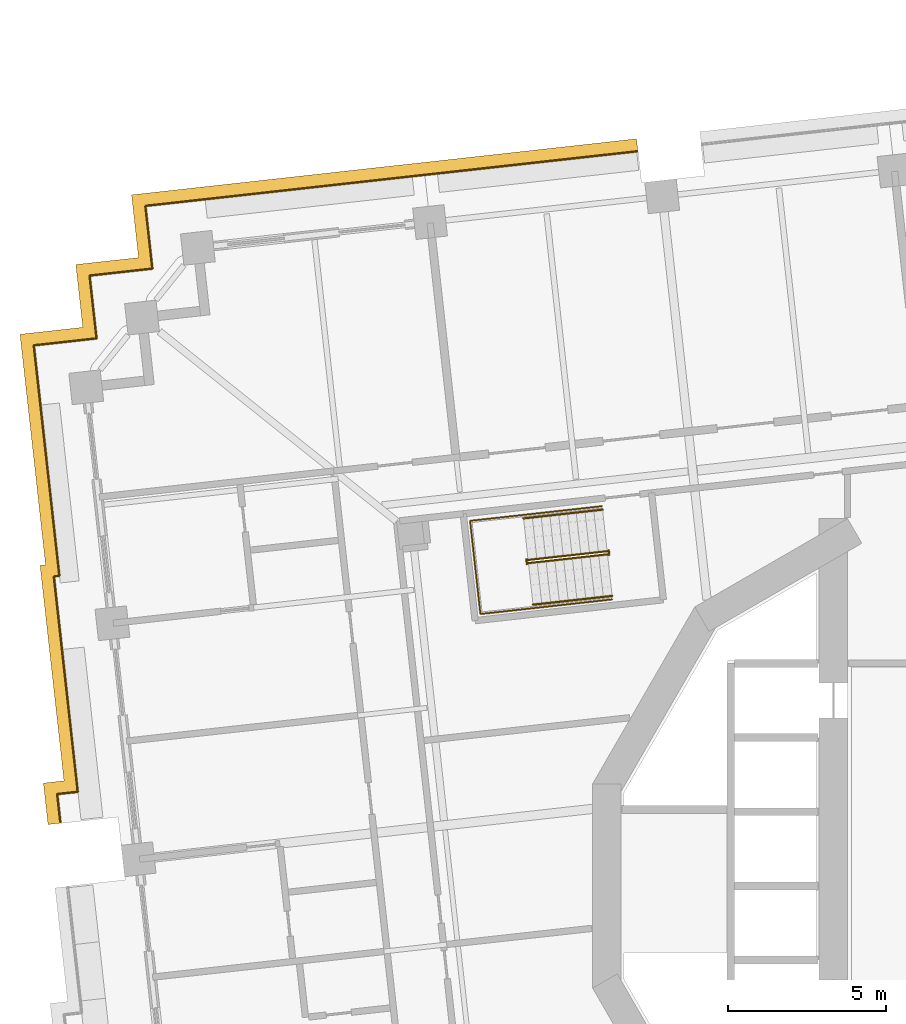
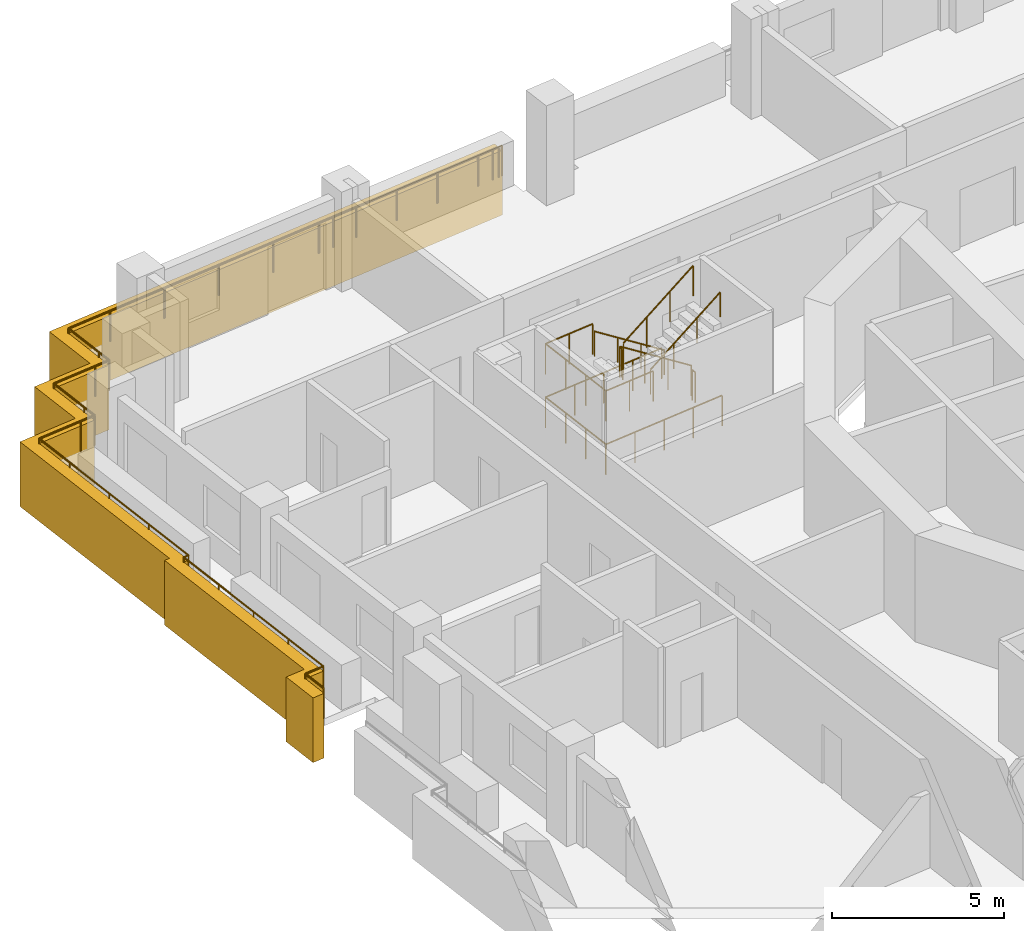
# One storey, part 16 of 19: 9 railings, 1 covering.
"""IFC4 building model written with IfcOpenShell, lengths in metres."""

from ifc_helpers import new_model, si_unit, direction, frame, origin, origin_2d, place, context, subcontext, project, spatial, polyline, circle, outline, extrude, material, type_object, element, save


model = new_model("IFC4")

# Units and contexts
model_context = context("Model", 3, precision=1e-05, world=origin(), true_north=direction((0.0, 1.0)))
body_context = subcontext(model_context, "Body", "Model", "MODEL_VIEW")
ifc_project = project(units=[si_unit("LENGTHUNIT", "METRE"), si_unit("AREAUNIT", "SQUARE_METRE"), si_unit("VOLUMEUNIT", "CUBIC_METRE"), si_unit("PLANEANGLEUNIT", "RADIAN"), si_unit("MASSUNIT", "GRAM", prefix="KILO")], contexts=[model_context])

# Site, building, storey
site_placement = place(None, origin())
site = spatial("IfcSite", under=ifc_project, at=site_placement, CompositionType="ELEMENT")
building_placement = place(site_placement, origin())
building = spatial("IfcBuilding", under=site, at=building_placement, Name="Cantera Rosa Tower", CompositionType="ELEMENT")
storey_placement = place(building_placement, frame((0.0, 0.0, 53.89990234375)))
storey = spatial("IfcBuildingStorey", under=building, at=storey_placement, Name="L10", CompositionType="ELEMENT", Elevation=53.89990234375)

# Railings
ifc_material_1 = material(Name="Stainless steel and laminated glass", Category="steel")
railing_type_1 = type_object("IfcRailingType", Name="GUARD 1100", PredefinedType="BALUSTRADE", material=ifc_material_1)
railing_1_placement = place(storey_placement, frame((-26.015380859375, 19.549560546875, 0.0)))
element("IfcRailing", 1, at=railing_1_placement, inside=storey, type_object=railing_type_1, Name="GUARD L10-4", PredefinedType="BALUSTRADE", context=body_context, shape_type="SweptSolid", body=[
    extrude(circle(Radius=0.030029296875, at=origin_2d()), frame((0.0, 0.0, 1.070068359375), z_axis=(-0.110377921269, 0.9938896893, 0.0), x_axis=(-0.9938896893, -0.110377921269, 0.0)), (0.0, 0.0, 1.0), 0.5),
    extrude(circle(Radius=0.030029296875, at=origin_2d()), frame((-0.05517578125, 0.496826171875, 1.070068359375), z_axis=(-0.110181444005, 0.99391148972, 0.0), x_axis=(-0.99391148972, -0.110181444005, 0.0)), (0.0, 0.0, 1.0), 1.5),
    extrude(circle(Radius=0.030029296875, at=origin_2d()), frame((-0.220458984375, 1.98779296875, 1.070068359375), z_axis=(0.993909513469, 0.110199269672, 0.0), x_axis=(-0.110199269672, 0.993909513469, 0.0)), (0.0, 0.0, 1.0), 1.499755859375),
    extrude(circle(Radius=0.030029296875, at=origin_2d()), frame((1.270263671875, 2.153076171875, 1.070068359375), z_axis=(0.993896343916, 0.1103179838, 0.0), x_axis=(-0.1103179838, 0.993896343916, 0.0)), (0.0, 0.0, 1.0), 5.900146484375),
    extrude(circle(Radius=0.030029296875, at=origin_2d()), frame((7.13427734375, 2.803955078125, 1.070068359375), z_axis=(0.993885539538, 0.110415281086, 0.0), x_axis=(-0.110415281086, 0.993885539538, 0.0)), (0.0, 0.0, 1.0), 1.6494140625),
    extrude(circle(Radius=0.030029296875, at=origin_2d()), frame((8.773681640625, 2.986083984375, 1.070068359375), z_axis=(1.0, 0.0, 0.0), x_axis=(0.0, 1.0, 0.0)), (0.0, 0.0, 1.0), 0.00048828125),
    extrude(circle(Radius=0.030029296875, at=origin_2d()), frame((8.774169921875, 2.986083984375, 1.070068359375), z_axis=(0.993906691004, 0.110224723078, 0.0), x_axis=(-0.110224723078, 0.993906691004, 0.0)), (0.0, 0.0, 1.0), 0.518310546875),
    extrude(circle(Radius=0.030029296875, at=origin_2d()), frame((9.289306640625, 3.043212890625, 1.070068359375), z_axis=(0.993890891841, 0.110367092538, 0.0), x_axis=(-0.110367092538, 0.993890891841, 0.0)), (0.0, 0.0, 1.0), 0.831787109375),
    extrude(circle(Radius=0.030029296875, at=origin_2d()), frame((10.115966796875, 3.135009765625, 1.070068359375), z_axis=(0.993897260817, 0.110309722784, 0.0), x_axis=(-0.110309722784, 0.993897260817, 0.0)), (0.0, 0.0, 1.0), 4.39990234375),
    extrude(circle(Radius=0.030029296875, at=origin_2d()), frame((14.489013671875, 3.620361328125, 1.070068359375), z_axis=(0.993894849515, 0.110331446597, 0.0), x_axis=(-0.110331446597, 0.993894849515, 0.0)), (0.0, 0.0, 1.0), 0.535400390625),
    extrude(circle(Radius=0.030029296875, at=origin_2d()), frame((15.021240234375, 3.679443359375, 1.070068359375), z_axis=(0.993883734674, 0.110431526075, 0.0), x_axis=(-0.110431526075, 0.993883734674, 0.0)), (0.0, 0.0, 1.0), 0.21435546875),
    extrude(circle(Radius=0.030029296875, at=origin_2d()), frame((15.234375, 3.703125, 1.070068359375), z_axis=(1.0, 0.0, 0.0), x_axis=(0.0, 1.0, 0.0)), (0.0, 0.0, 1.0), 0.000244140625),
    extrude(circle(Radius=0.030029296875, at=origin_2d()), frame((15.234619140625, 3.703125, 1.070068359375), z_axis=(0.993933310908, 0.109984423748, 0.0), x_axis=(-0.109984423748, 0.993933310908, 0.0)), (0.0, 0.0, 1.0), 0.119873046875),
    extrude(circle(Radius=0.02490234375, at=origin_2d()), origin(), (0.0, 0.0, 1.0), 1.0400390625),
    extrude(circle(Radius=0.02490234375, at=origin_2d()), frame((-0.05517578125, 0.496826171875, 0.0)), (0.0, 0.0, 1.0), 1.0400390625),
    extrude(circle(Radius=0.02490234375, at=origin_2d()), frame((-0.220458984375, 1.98779296875, 0.0)), (0.0, 0.0, 1.0), 1.0400390625),
    extrude(circle(Radius=0.02490234375, at=origin_2d()), frame((1.270263671875, 2.153076171875, 0.0)), (0.0, 0.0, 1.0), 1.0400390625),
    extrude(circle(Radius=0.02490234375, at=origin_2d()), frame((3.224853515625, 2.3701171875, 0.0)), (0.0, 0.0, 1.0), 1.0400390625),
    extrude(circle(Radius=0.02490234375, at=origin_2d()), frame((5.1796875, 2.5869140625, 0.0)), (0.0, 0.0, 1.0), 1.0400390625),
    extrude(circle(Radius=0.02490234375, at=origin_2d()), frame((7.13427734375, 2.803955078125, 0.0)), (0.0, 0.0, 1.0), 1.0400390625),
    extrude(circle(Radius=0.02490234375, at=origin_2d()), frame((8.773681640625, 2.986083984375, 0.0)), (0.0, 0.0, 1.0), 1.0400390625),
    extrude(circle(Radius=0.02490234375, at=origin_2d()), frame((8.774169921875, 2.986083984375, 0.0)), (0.0, 0.0, 1.0), 1.0400390625),
    extrude(circle(Radius=0.02490234375, at=origin_2d()), frame((9.289306640625, 3.043212890625, 0.0)), (0.0, 0.0, 1.0), 1.0400390625),
    extrude(circle(Radius=0.02490234375, at=origin_2d()), frame((10.115966796875, 3.135009765625, 0.0)), (0.0, 0.0, 1.0), 1.0400390625),
    extrude(circle(Radius=0.02490234375, at=origin_2d()), frame((11.57373046875, 3.296875, 0.0)), (0.0, 0.0, 1.0), 1.0400390625),
    extrude(circle(Radius=0.02490234375, at=origin_2d()), frame((13.03125, 3.45849609375, 0.0)), (0.0, 0.0, 1.0), 1.0400390625),
    extrude(circle(Radius=0.02490234375, at=origin_2d()), frame((14.489013671875, 3.620361328125, 0.0)), (0.0, 0.0, 1.0), 1.0400390625),
    extrude(circle(Radius=0.02490234375, at=origin_2d()), frame((15.021240234375, 3.679443359375, 0.0)), (0.0, 0.0, 1.0), 1.0400390625),
    extrude(circle(Radius=0.02490234375, at=origin_2d()), frame((15.234375, 3.703125, 0.0)), (0.0, 0.0, 1.0), 1.0400390625),
    extrude(circle(Radius=0.02490234375, at=origin_2d()), frame((15.234619140625, 3.703125, 0.0)), (0.0, 0.0, 1.0), 1.0400390625),
    extrude(circle(Radius=0.02490234375, at=origin_2d()), frame((15.353759765625, 3.71630859375, 0.0)), (0.0, 0.0, 1.0), 1.0400390625),
])
railing_2_placement = place(storey_placement, frame((-28.92919921875, 2.010986328125, 0.0)))
element("IfcRailing", 2, at=railing_2_placement, inside=storey, type_object=railing_type_1, Name="GUARD L10-5", PredefinedType="BALUSTRADE", context=body_context, shape_type="SweptSolid", body=[
    extrude(circle(Radius=0.030029296875, at=origin_2d()), frame((0.0, 0.0, 1.070068359375), z_axis=(-0.110550482044, 0.993870510137, 0.0), x_axis=(-0.993870510137, -0.110550482044, 0.0)), (0.0, 0.0, 1.0), 0.901123046875),
    extrude(circle(Radius=0.030029296875, at=origin_2d()), frame((-0.099609375, 0.8955078125, 1.070068359375), z_axis=(0.993901893263, 0.110267976164, 0.0), x_axis=(-0.110267976164, 0.993901893263, 0.0)), (0.0, 0.0, 1.0), 0.6552734375),
    extrude(circle(Radius=0.030029296875, at=origin_2d()), frame((0.5517578125, 0.9677734375, 1.070068359375), z_axis=(-0.110322228488, 0.993895872766, 0.0), x_axis=(-0.993895872766, -0.110322228488, 0.0)), (0.0, 0.0, 1.0), 6.86474609375),
    extrude(circle(Radius=0.030029296875, at=origin_2d()), frame((-0.20556640625, 7.79052734375, 1.070068359375), z_axis=(0.993798690256, 0.11119425905, 0.0), x_axis=(-0.11119425905, 0.993798690256, 0.0)), (0.0, 0.0, 1.0), 0.175537109375),
    extrude(circle(Radius=0.030029296875, at=origin_2d()), frame((-0.031005859375, 7.81005859375, 1.070068359375), z_axis=(-0.110284804511, 0.993900026106, 0.0), x_axis=(-0.993900026106, -0.110284804511, 0.0)), (0.0, 0.0, 1.0), 5.84423828125),
    extrude(circle(Radius=0.030029296875, at=origin_2d()), frame((-0.675537109375, 13.61865234375, 1.070068359375), z_axis=(-0.110360064491, 0.993891672249, 0.0), x_axis=(-0.993891672249, -0.110360064491, 0.0)), (0.0, 0.0, 1.0), 1.5),
    extrude(circle(Radius=0.030029296875, at=origin_2d()), frame((-0.841064453125, 15.109375, 1.070068359375), z_axis=(0.993891672249, 0.110360064491, 0.0), x_axis=(-0.110360064491, 0.993891672249, 0.0)), (0.0, 0.0, 1.0), 1.5),
    extrude(circle(Radius=0.030029296875, at=origin_2d()), frame((0.649658203125, 15.27490234375, 1.070068359375), z_axis=(0.993895635261, 0.110324368158, 0.0), x_axis=(-0.110324368158, 0.993895635261, 0.0)), (0.0, 0.0, 1.0), 0.500244140625),
    extrude(circle(Radius=0.030029296875, at=origin_2d()), frame((1.146728515625, 15.330078125, 1.070068359375), z_axis=(-0.110324368158, 0.993895635261, 0.0), x_axis=(-0.993895635261, -0.110324368158, 0.0)), (0.0, 0.0, 1.0), 0.500244140625),
    extrude(circle(Radius=0.030029296875, at=origin_2d()), frame((1.091552734375, 15.8271484375, 1.070068359375), z_axis=(-0.110360064491, 0.993891672249, 0.0), x_axis=(-0.993891672249, -0.110360064491, 0.0)), (0.0, 0.0, 1.0), 1.5),
    extrude(circle(Radius=0.030029296875, at=origin_2d()), frame((0.926025390625, 17.31787109375, 1.070068359375), z_axis=(0.993893654236, 0.110342213455, 0.0), x_axis=(-0.110342213455, 0.993893654236, 0.0)), (0.0, 0.0, 1.0), 1.500244140625),
    extrude(circle(Radius=0.030029296875, at=origin_2d()), frame((2.4169921875, 17.4833984375, 1.070068359375), z_axis=(0.9938896893, 0.110377921269, 0.0), x_axis=(-0.110377921269, 0.9938896893, 0.0)), (0.0, 0.0, 1.0), 0.5),
    extrude(circle(Radius=0.02490234375, at=origin_2d()), origin(), (0.0, 0.0, 1.0), 1.0400390625),
    extrude(circle(Radius=0.02490234375, at=origin_2d()), frame((-0.099609375, 0.8955078125, 0.0)), (0.0, 0.0, 1.0), 1.0400390625),
    extrude(circle(Radius=0.02490234375, at=origin_2d()), frame((0.5517578125, 0.9677734375, 0.0)), (0.0, 0.0, 1.0), 1.0400390625),
    extrude(circle(Radius=0.02490234375, at=origin_2d()), frame((0.3623046875, 2.67333984375, 0.0)), (0.0, 0.0, 1.0), 1.0400390625),
    extrude(circle(Radius=0.02490234375, at=origin_2d()), frame((0.173095703125, 4.379150390625, 0.0)), (0.0, 0.0, 1.0), 1.0400390625),
    extrude(circle(Radius=0.02490234375, at=origin_2d()), frame((-0.01611328125, 6.0849609375, 0.0)), (0.0, 0.0, 1.0), 1.0400390625),
    extrude(circle(Radius=0.02490234375, at=origin_2d()), frame((-0.20556640625, 7.79052734375, 0.0)), (0.0, 0.0, 1.0), 1.0400390625),
    extrude(circle(Radius=0.02490234375, at=origin_2d()), frame((-0.031005859375, 7.81005859375, 0.0)), (0.0, 0.0, 1.0), 1.0400390625),
    extrude(circle(Radius=0.02490234375, at=origin_2d()), frame((-0.245849609375, 9.746337890625, 0.0)), (0.0, 0.0, 1.0), 1.0400390625),
    extrude(circle(Radius=0.02490234375, at=origin_2d()), frame((-0.460693359375, 11.682373046875, 0.0)), (0.0, 0.0, 1.0), 1.0400390625),
    extrude(circle(Radius=0.02490234375, at=origin_2d()), frame((-0.675537109375, 13.61865234375, 0.0)), (0.0, 0.0, 1.0), 1.0400390625),
    extrude(circle(Radius=0.02490234375, at=origin_2d()), frame((-0.841064453125, 15.109375, 0.0)), (0.0, 0.0, 1.0), 1.0400390625),
    extrude(circle(Radius=0.02490234375, at=origin_2d()), frame((0.649658203125, 15.27490234375, 0.0)), (0.0, 0.0, 1.0), 1.0400390625),
    extrude(circle(Radius=0.02490234375, at=origin_2d()), frame((1.146728515625, 15.330078125, 0.0)), (0.0, 0.0, 1.0), 1.0400390625),
    extrude(circle(Radius=0.02490234375, at=origin_2d()), frame((1.091552734375, 15.8271484375, 0.0)), (0.0, 0.0, 1.0), 1.0400390625),
    extrude(circle(Radius=0.02490234375, at=origin_2d()), frame((0.926025390625, 17.31787109375, 0.0)), (0.0, 0.0, 1.0), 1.0400390625),
    extrude(circle(Radius=0.02490234375, at=origin_2d()), frame((2.4169921875, 17.4833984375, 0.0)), (0.0, 0.0, 1.0), 1.0400390625),
    extrude(circle(Radius=0.02490234375, at=origin_2d()), frame((2.913818359375, 17.53857421875, 0.0)), (0.0, 0.0, 1.0), 1.0400390625),
])
ifc_material_2 = material(Name="Steel S355J2 (EN 10025-2)", Category="steel")
railing_type_2 = type_object("IfcRailingType", Name="STAIR GUARD 1100", PredefinedType="GUARDRAIL", material=ifc_material_2)
railing_3_placement = place(storey_placement, frame((-11.614013671875, 10.60302734375, 0.190185546875)))
element("IfcRailing", 3, at=railing_3_placement, inside=storey, type_object=railing_type_2, Name="L10 ST-12 stair guard 1", PredefinedType="GUARDRAIL", context=body_context, shape_type="SweptSolid", body=[
    extrude(circle(Radius=0.02392578125, at=origin_2d()), frame((0.0, 0.0, 1.076171875), z_axis=(-0.822437355244, -0.09123050105, 0.561492468674), x_axis=(0.110250758185, -0.993903803353, 0.0)), (0.0, 0.0, 1.0), 3.04541015625),
    extrude(circle(Radius=0.02392578125, at=origin_2d()), frame((-2.504638671875, -0.27783203125, 2.7861328125), z_axis=(-0.932897555956, 0.360141847183, 0.0), x_axis=(-0.360141847183, -0.932897555956, 0.0)), (0.0, 0.0, 1.0), 0.05615234375),
    extrude(circle(Radius=0.02392578125, at=origin_2d()), frame((-2.55712890625, -0.257568359375, 2.7861328125), z_axis=(0.110610055588, -0.993863881828, 0.0), x_axis=(0.993863881828, 0.110610055588, 0.0)), (0.0, 0.0, 1.0), 0.150146484375),
    extrude(circle(Radius=0.02099609375, at=origin_2d()), origin(), (0.0, 0.0, 1.0), 1.052001953125),
    extrude(circle(Radius=0.02099609375, at=origin_2d()), frame((-0.8349609375, -0.092529296875, 0.570068359375)), (0.0, 0.0, 1.0), 1.052001953125),
    extrude(circle(Radius=0.02099609375, at=origin_2d()), frame((-1.669677734375, -0.185302734375, 1.139892578125)), (0.0, 0.0, 1.0), 1.052001953125),
    extrude(circle(Radius=0.02099609375, at=origin_2d()), frame((-2.504638671875, -0.27783203125, 1.7099609375)), (0.0, 0.0, 1.0), 1.052001953125),
    extrude(circle(Radius=0.02099609375, at=origin_2d()), frame((-2.55712890625, -0.257568359375, 1.7099609375)), (0.0, 0.0, 1.0), 1.052001953125),
    extrude(circle(Radius=0.02099609375, at=origin_2d()), frame((-2.54052734375, -0.40673828125, 1.7099609375)), (0.0, 0.0, 1.0), 1.052001953125),
])
railing_4_placement = place(storey_placement, frame((-14.107666015625, 10.227783203125, 2.090087890625)))
element("IfcRailing", 4, at=railing_4_placement, inside=storey, type_object=railing_type_2, Name="L10 ST-12 stair guard 2", PredefinedType="GUARDRAIL", context=body_context, shape_type="SweptSolid", body=[
    extrude(circle(Radius=0.02392578125, at=origin_2d()), frame((0.0, 0.0, 1.076171875), z_axis=(0.822437355244, 0.09123050105, 0.561492468674), x_axis=(-0.110250758185, 0.993903803353, 0.0)), (0.0, 0.0, 1.0), 3.04541015625),
    extrude(circle(Radius=0.02099609375, at=origin_2d()), origin(), (0.0, 0.0, 1.0), 1.052001953125),
    extrude(circle(Radius=0.02099609375, at=origin_2d()), frame((0.8349609375, 0.092529296875, 0.570068359375)), (0.0, 0.0, 1.0), 1.052001953125),
    extrude(circle(Radius=0.02099609375, at=origin_2d()), frame((1.669677734375, 0.185302734375, 1.139892578125)), (0.0, 0.0, 1.0), 1.052001953125),
    extrude(circle(Radius=0.02099609375, at=origin_2d()), frame((2.504638671875, 0.27783203125, 1.7099609375)), (0.0, 0.0, 1.0), 1.052001953125),
])
railing_5_placement = place(storey_placement, frame((-11.567138671875, 10.634521484375, 0.0)))
element("IfcRailing", 5, at=railing_5_placement, inside=storey, type_object=railing_type_2, Name="L10 ST-12 stair guard 3", PredefinedType="GUARDRAIL", context=body_context, shape_type="SweptSolid", body=[
    extrude(circle(Radius=0.02392578125, at=origin_2d()), frame((0.0, 0.0, 1.076171875), z_axis=(0.110610055588, -0.993863881828, 0.0), x_axis=(0.993863881828, 0.110610055588, 0.0)), (0.0, 0.0, 1.0), 0.150146484375),
    extrude(circle(Radius=0.02099609375, at=origin_2d()), origin(), (0.0, 0.0, 1.0), 1.052001953125),
    extrude(circle(Radius=0.02099609375, at=origin_2d()), frame((0.0166015625, -0.149169921875, 0.0)), (0.0, 0.0, 1.0), 1.052001953125),
])
railing_6_placement = place(storey_placement, frame((-11.7841796875, 12.029052734375, 0.0)))
element("IfcRailing", 6, at=railing_6_placement, inside=storey, type_object=railing_type_2, Name="L10 ST-12 stair guard 4", PredefinedType="GUARDRAIL", context=body_context, shape_type="SweptSolid", body=[
    extrude(circle(Radius=0.02392578125, at=origin_2d()), frame((0.0, 0.0, 1.076171875), z_axis=(-0.9938957856, -0.110323013767, 0.0), x_axis=(0.110323013767, -0.9938957856, 0.0)), (0.0, 0.0, 1.0), 4.197998046875),
    extrude(circle(Radius=0.02392578125, at=origin_2d()), frame((-4.17236328125, -0.463134765625, 1.076171875), z_axis=(0.11023303584, -0.99390576908, 0.0), x_axis=(0.99390576908, 0.11023303584, 0.0)), (0.0, 0.0, 1.0), 2.969970703125),
    extrude(circle(Radius=0.02392578125, at=origin_2d()), frame((-3.844970703125, -3.4150390625, 1.076171875), z_axis=(0.993896493372, 0.11031663729, 0.0), x_axis=(-0.11031663729, 0.993896493372, 0.0)), (0.0, 0.0, 1.0), 4.1982421875),
    extrude(circle(Radius=0.02099609375, at=origin_2d()), origin(), (0.0, 0.0, 1.0), 1.052001953125),
    extrude(circle(Radius=0.02099609375, at=origin_2d()), frame((-1.04296875, -0.11572265625, 0.0)), (0.0, 0.0, 1.0), 1.052001953125),
    extrude(circle(Radius=0.02099609375, at=origin_2d()), frame((-2.086181640625, -0.2314453125, 0.0)), (0.0, 0.0, 1.0), 1.052001953125),
    extrude(circle(Radius=0.02099609375, at=origin_2d()), frame((-3.12939453125, -0.347412109375, 0.0)), (0.0, 0.0, 1.0), 1.052001953125),
    extrude(circle(Radius=0.02099609375, at=origin_2d()), frame((-4.17236328125, -0.463134765625, 0.0)), (0.0, 0.0, 1.0), 1.052001953125),
    extrude(circle(Radius=0.02099609375, at=origin_2d()), frame((-4.063232421875, -1.447021484375, 0.0)), (0.0, 0.0, 1.0), 1.052001953125),
    extrude(circle(Radius=0.02099609375, at=origin_2d()), frame((-3.9541015625, -2.43115234375, 0.0)), (0.0, 0.0, 1.0), 1.052001953125),
    extrude(circle(Radius=0.02099609375, at=origin_2d()), frame((-3.844970703125, -3.4150390625, 0.0)), (0.0, 0.0, 1.0), 1.052001953125),
    extrude(circle(Radius=0.02099609375, at=origin_2d()), frame((-2.8017578125, -3.29931640625, 0.0)), (0.0, 0.0, 1.0), 1.052001953125),
    extrude(circle(Radius=0.02099609375, at=origin_2d()), frame((-1.7587890625, -3.18359375, 0.0)), (0.0, 0.0, 1.0), 1.052001953125),
    extrude(circle(Radius=0.02099609375, at=origin_2d()), frame((-0.715576171875, -3.067626953125, 0.0)), (0.0, 0.0, 1.0), 1.052001953125),
    extrude(circle(Radius=0.02099609375, at=origin_2d()), frame((0.32763671875, -2.951904296875, 0.0)), (0.0, 0.0, 1.0), 1.052001953125),
])
railing_7_placement = place(storey_placement, frame((-14.26513671875, 11.753662109375, 1.900146484375)))
element("IfcRailing", 7, at=railing_7_placement, inside=storey, type_object=railing_type_2, Name="L10 ST-12 stair guard 5", PredefinedType="GUARDRAIL", context=body_context, shape_type="SweptSolid", body=[
    extrude(circle(Radius=0.02392578125, at=origin_2d()), frame((0.0, 0.0, 1.076171875), z_axis=(-0.99389597521, -0.110321305562, 0.0), x_axis=(0.110321305562, -0.99389597521, 0.0)), (0.0, 0.0, 1.0), 1.701904296875),
    extrude(circle(Radius=0.02392578125, at=origin_2d()), frame((-1.69140625, -0.187744140625, 1.076171875), z_axis=(0.11023303584, -0.99390576908, 0.0), x_axis=(0.99390576908, 0.11023303584, 0.0)), (0.0, 0.0, 1.0), 2.969970703125),
    extrude(circle(Radius=0.02392578125, at=origin_2d()), frame((-1.364013671875, -3.1396484375, 1.076171875), z_axis=(0.993897720867, 0.110305577623, 0.0), x_axis=(-0.110305577623, 0.993897720867, 0.0)), (0.0, 0.0, 1.0), 1.7021484375),
    extrude(circle(Radius=0.02099609375, at=origin_2d()), origin(), (0.0, 0.0, 1.0), 1.052001953125),
    extrude(circle(Radius=0.02099609375, at=origin_2d()), frame((-0.845703125, -0.09375, 0.0)), (0.0, 0.0, 1.0), 1.052001953125),
    extrude(circle(Radius=0.02099609375, at=origin_2d()), frame((-1.69140625, -0.187744140625, 0.0)), (0.0, 0.0, 1.0), 1.052001953125),
    extrude(circle(Radius=0.02099609375, at=origin_2d()), frame((-1.582275390625, -1.171630859375, 0.0)), (0.0, 0.0, 1.0), 1.052001953125),
    extrude(circle(Radius=0.02099609375, at=origin_2d()), frame((-1.47314453125, -2.15576171875, 0.0)), (0.0, 0.0, 1.0), 1.052001953125),
    extrude(circle(Radius=0.02099609375, at=origin_2d()), frame((-1.364013671875, -3.1396484375, 0.0)), (0.0, 0.0, 1.0), 1.052001953125),
    extrude(circle(Radius=0.02099609375, at=origin_2d()), frame((-0.51806640625, -3.0458984375, 0.0)), (0.0, 0.0, 1.0), 1.052001953125),
    extrude(circle(Radius=0.02099609375, at=origin_2d()), frame((0.32763671875, -2.951904296875, 0.0)), (0.0, 0.0, 1.0), 1.052001953125),
])
ifc_material_3 = material(Name="Steel S355J2 (EN 10025-2)", Category="steel")
railing_type_3 = type_object("IfcRailingType", Name="STAIR HANDRAIL 900", PredefinedType="HANDRAIL", material=ifc_material_3)
railing_8_placement = place(storey_placement, frame((-11.76025390625, 11.921142578125, 0.190185546875)))
element("IfcRailing", 8, at=railing_8_placement, inside=storey, type_object=railing_type_3, Name="L10 ST-12 stair handrail 1", PredefinedType="HANDRAIL", context=body_context, shape_type="SweptSolid", body=[
    extrude(circle(Radius=0.02392578125, at=origin_2d()), frame((0.0, 0.0, 0.8759765625), z_axis=(-0.822431337597, -0.091310000343, 0.561488360321), x_axis=(0.110346460196, -0.993893182753, 0.0)), (0.0, 0.0, 1.0), 3.04541015625),
    extrude(circle(Radius=0.02099609375, at=origin_2d()), origin(), (0.0, 0.0, 1.0), 0.851806640625),
    extrude(circle(Radius=0.02099609375, at=origin_2d()), frame((-0.8349609375, -0.0927734375, 0.570068359375)), (0.0, 0.0, 1.0), 0.851806640625),
    extrude(circle(Radius=0.02099609375, at=origin_2d()), frame((-1.669677734375, -0.185302734375, 1.139892578125)), (0.0, 0.0, 1.0), 0.851806640625),
    extrude(circle(Radius=0.02099609375, at=origin_2d()), frame((-2.504638671875, -0.278076171875, 1.7099609375)), (0.0, 0.0, 1.0), 0.851806640625),
])
railing_9_placement = place(storey_placement, frame((-13.96142578125, 8.909912109375, 2.090087890625)))
element("IfcRailing", 9, at=railing_9_placement, inside=storey, type_object=railing_type_3, Name="L10 ST-12 stair handrail 2", PredefinedType="HANDRAIL", context=body_context, shape_type="SweptSolid", body=[
    extrude(circle(Radius=0.02392578125, at=origin_2d()), frame((0.0, 0.0, 0.8759765625), z_axis=(0.822437355244, 0.09123050105, 0.561492468674), x_axis=(-0.110250758185, 0.993903803353, 0.0)), (0.0, 0.0, 1.0), 3.04541015625),
    extrude(circle(Radius=0.02099609375, at=origin_2d()), origin(), (0.0, 0.0, 1.0), 0.851806640625),
    extrude(circle(Radius=0.02099609375, at=origin_2d()), frame((0.8349609375, 0.092529296875, 0.570068359375)), (0.0, 0.0, 1.0), 0.851806640625),
    extrude(circle(Radius=0.02099609375, at=origin_2d()), frame((1.669677734375, 0.185302734375, 1.139892578125)), (0.0, 0.0, 1.0), 0.851806640625),
    extrude(circle(Radius=0.02099609375, at=origin_2d()), frame((2.504638671875, 0.27783203125, 1.7099609375)), (0.0, 0.0, 1.0), 0.851806640625),
])

# Covering
ifc_material_4 = material(Name="Cantera stone", Category="masonry")
covering_type = type_object("IfcCoveringType", Name="TRAY FASCIA 400", PredefinedType="CLADDING", material=ifc_material_4)
covering_placement = place(storey_placement, frame((0.0, 0.0, -1.39990234375)))
element("IfcCovering", 10, at=covering_placement, inside=storey, type_object=covering_type, Name="TRAY FASCIA L10-01", PredefinedType="CLADDING", context=body_context, shape_type="SweptSolid", body=[
    extrude(outline(polyline([(-30.2119140625, 17.473876953125), (-28.323486328125, 17.68359375), (-28.22412109375, 17.694580078125), (-28.235107421875, 17.7939453125), (-28.44482421875, 19.682373046875), (-26.556396484375, 19.891845703125), (-26.45703125, 19.90283203125), (-26.468017578125, 20.002197265625), (-26.677734375, 21.890625), (-24.789306640625, 22.100341796875), (-18.92529296875, 22.751220703125), (-15.943603515625, 23.08203125), (-11.5703125, 23.5673828125), (-10.685791015625, 23.665771484375), (-10.6416015625, 23.26806640625), (-11.5263671875, 23.169921875), (-15.8994140625, 22.6845703125), (-18.881103515625, 22.353515625), (-24.7451171875, 21.70263671875), (-26.23583984375, 21.537353515625), (-26.070556640625, 20.04638671875), (-26.015380859375, 19.549560546875), (-26.51220703125, 19.494384765625), (-28.003173828125, 19.328857421875), (-27.837646484375, 17.838134765625), (-27.782470703125, 17.341064453125), (-28.279541015625, 17.285888671875), (-29.770263671875, 17.120361328125), (-29.604736328125, 15.629638671875), (-28.960205078125, 9.821044921875), (-29.134765625, 9.801513671875), (-28.37744140625, 2.978759765625), (-29.02880859375, 2.906494140625), (-28.927001953125, 1.9912109375), (-29.32470703125, 1.947021484375), (-29.470458984375, 3.259765625), (-28.819091796875, 3.33203125), (-29.576416015625, 10.155029296875), (-29.40185546875, 10.174560546875), (-30.00244140625, 15.58544921875), (-30.2119140625, 17.473876953125)])), origin(), (0.0, 0.0, 1.0), 2.300048828125),
])

save(model, "model.ifc")
